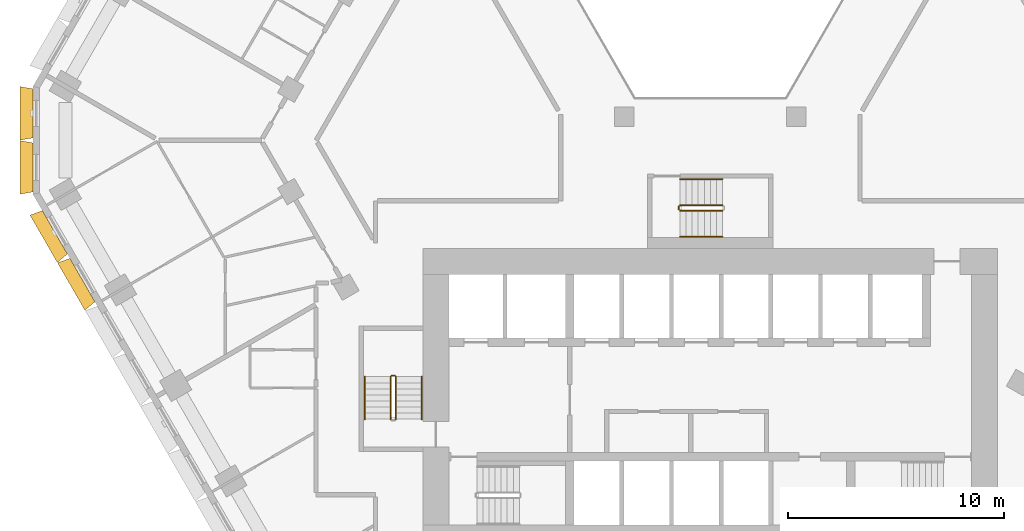
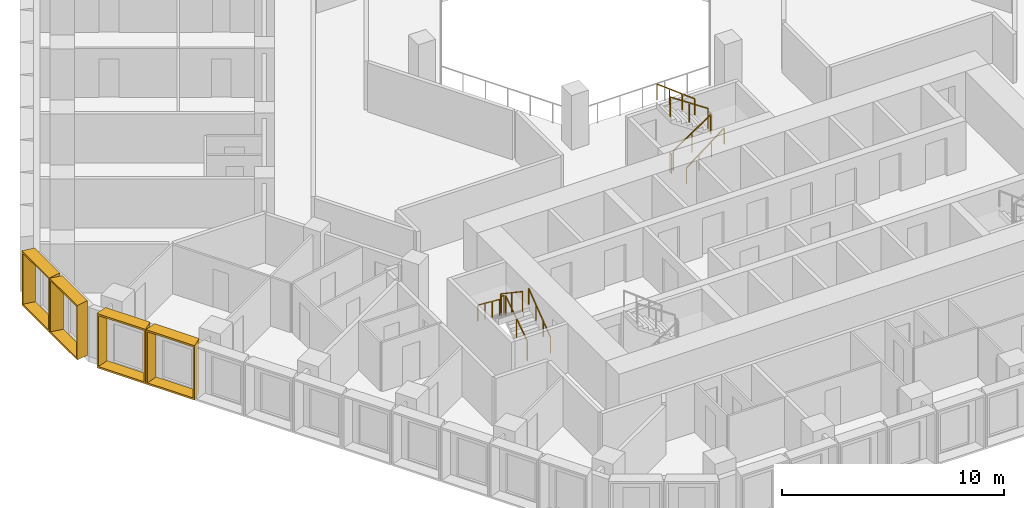
# One storey, part 19 of 21: 10 railings, 4 shading devices.
"""IFC4 building model written with IfcOpenShell, lengths in metres."""

from ifc_helpers import new_model, entity, si_unit, direction, frame, origin, origin_2d, place, context, subcontext, project, spatial, rectangle, extrude, source, transform, mapped, material, type_object, type_shapes, element, save


model = new_model("IFC4")

# Units and contexts
model_context = context("Model", 3, precision=1e-05, world=origin(), true_north=direction((0.0, 1.0)))
body_context = subcontext(model_context, "Body", "Model", "MODEL_VIEW")
ifc_project = project(units=[si_unit("LENGTHUNIT", "METRE"), si_unit("AREAUNIT", "SQUARE_METRE"), si_unit("VOLUMEUNIT", "CUBIC_METRE"), si_unit("PLANEANGLEUNIT", "RADIAN"), si_unit("MASSUNIT", "GRAM", prefix="KILO")], contexts=[model_context])

# Site, building, storey
site_placement = place(None, origin())
site = spatial("IfcSite", under=ifc_project, at=site_placement, CompositionType="ELEMENT")
building_placement = place(site_placement, origin())
building = spatial("IfcBuilding", under=site, at=building_placement, Name="Beryl Residences", CompositionType="ELEMENT")
storey_placement = place(building_placement, frame((0.0, 0.0, 41.39990234375)))
storey = spatial("IfcBuildingStorey", under=building, at=storey_placement, Name="L12", CompositionType="ELEMENT", Elevation=41.39990234375)

# Shading devices
ifc_material_1 = material(Name="Aluminium pale anodised", Category="aluminium")
shading_device_type_1 = type_object("IfcShadingDeviceType", Name="FR250-60A OUTER SKIN frame 600 mm deep, splay 10/10 deg, 2500 x 3000 mm cell", PredefinedType="USERDEFINED", material=ifc_material_1)
cartesian_point_1 = entity("IfcCartesianPoint", [-1.134033203125, 0.0])
cartesian_point_2 = entity("IfcCartesianPoint", [-1.052734375, 0.10009765625])
cartesian_point_3 = entity("IfcCartesianPoint", [-1.23974609375, 0.0])
cartesian_point_4 = entity("IfcCartesianPoint", [-1.158447265625, 0.10009765625])
shared_shape_1 = source(origin(), body_context, "Body", "SweptSolid", [
    entity("IfcExtrudedAreaSolidTapered", entity("IfcArbitraryProfileDefWithVoids", "AREA", None, entity("IfcPolyline", [cartesian_point_1, entity("IfcCartesianPoint", [1.134033203125, 0.0]), entity("IfcCartesianPoint", [1.134033203125, 3.0]), entity("IfcCartesianPoint", [-1.134033203125, 3.0]), cartesian_point_1]), [entity("IfcPolyline", [cartesian_point_2, entity("IfcCartesianPoint", [1.052734375, 0.10009765625]), entity("IfcCartesianPoint", [1.052734375, 2.89990234375]), entity("IfcCartesianPoint", [-1.052734375, 2.89990234375]), cartesian_point_2])]), entity("IfcAxis2Placement3D", entity("IfcCartesianPoint", [0.0, 0.0, 0.0]), entity("IfcDirection", [0.0, 1.0, 0.0]), entity("IfcDirection", [-1.0, 0.0, 0.0])), entity("IfcDirection", [0.0, 0.0, 1.0]), 0.60009765625, entity("IfcArbitraryProfileDefWithVoids", "AREA", None, entity("IfcPolyline", [cartesian_point_3, entity("IfcCartesianPoint", [1.23974609375, 0.0]), entity("IfcCartesianPoint", [1.23974609375, 3.0]), entity("IfcCartesianPoint", [-1.23974609375, 3.0]), cartesian_point_3]), [entity("IfcPolyline", [cartesian_point_4, entity("IfcCartesianPoint", [1.158447265625, 0.10009765625]), entity("IfcCartesianPoint", [1.158447265625, 2.89990234375]), entity("IfcCartesianPoint", [-1.158447265625, 2.89990234375]), cartesian_point_4])])),
])
type_shapes(shading_device_type_1, [shared_shape_1])
for number, where, z_axis, x_axis, name in (
    (1, (-31.35009765625, 1.25, 0.0), (0.0, 0.0, 1.0), (0.0, 1.0, 0.0), "FR250-60A frame L12 NW-SW 1"),
    (2, (-31.35009765625, -1.25, 0.0), (0.0, 0.0, 1.0), (0.0, 1.0, 0.0), "FR250-60A frame L12 NW-SW 2"),
):
    element("IfcShadingDevice", number, at=place(storey_placement, frame(where, z_axis=z_axis, x_axis=x_axis)), inside=storey, type_object=shading_device_type_1, Name=name, ObjectType="OUTER SKIN", PredefinedType="USERDEFINED", context=body_context, shape_type="MappedRepresentation", body=[
        mapped(shared_shape_1, transform((0.0, 0.0, 0.0))),
    ])
ifc_material_2 = material(Name="Aluminium pale anodised", Category="aluminium")
shading_device_type_2 = type_object("IfcShadingDeviceType", Name="FR255-60A OUTER SKIN frame 600 mm deep, splay 10/10 deg, 2550 x 3000 mm cell", PredefinedType="USERDEFINED", material=ifc_material_2)
cartesian_point_5 = entity("IfcCartesianPoint", [-1.158935546875, 0.0])
cartesian_point_6 = entity("IfcCartesianPoint", [-1.077880859375, 0.10009765625])
cartesian_point_7 = entity("IfcCartesianPoint", [-1.264892578125, 0.0])
cartesian_point_8 = entity("IfcCartesianPoint", [-1.18359375, 0.10009765625])
shared_shape_2 = source(origin(), body_context, "Body", "SweptSolid", [
    entity("IfcExtrudedAreaSolidTapered", entity("IfcArbitraryProfileDefWithVoids", "AREA", None, entity("IfcPolyline", [cartesian_point_5, entity("IfcCartesianPoint", [1.158935546875, 0.0]), entity("IfcCartesianPoint", [1.158935546875, 3.0]), entity("IfcCartesianPoint", [-1.158935546875, 3.0]), cartesian_point_5]), [entity("IfcPolyline", [cartesian_point_6, entity("IfcCartesianPoint", [1.077880859375, 0.10009765625]), entity("IfcCartesianPoint", [1.077880859375, 2.89990234375]), entity("IfcCartesianPoint", [-1.077880859375, 2.89990234375]), cartesian_point_6])]), entity("IfcAxis2Placement3D", entity("IfcCartesianPoint", [0.0, 0.0, 0.0]), entity("IfcDirection", [0.0, 1.0, 0.0]), entity("IfcDirection", [-1.0, 0.0, 0.0])), entity("IfcDirection", [0.0, 0.0, 1.0]), 0.60009765625, entity("IfcArbitraryProfileDefWithVoids", "AREA", None, entity("IfcPolyline", [cartesian_point_7, entity("IfcCartesianPoint", [1.264892578125, 0.0]), entity("IfcCartesianPoint", [1.264892578125, 3.0]), entity("IfcCartesianPoint", [-1.264892578125, 3.0]), cartesian_point_7]), [entity("IfcPolyline", [cartesian_point_8, entity("IfcCartesianPoint", [1.18359375, 0.10009765625]), entity("IfcCartesianPoint", [1.18359375, 2.89990234375]), entity("IfcCartesianPoint", [-1.18359375, 2.89990234375]), cartesian_point_8])])),
])
type_shapes(shading_device_type_2, [shared_shape_2])
for number, where, z_axis, x_axis, name in (
    (3, (-30.3359375, -4.2548828125, 0.0), (0.0, 0.0, 1.0), (-0.5, 0.866025403784, 0.0), "FR255-60A frame L12 SW 1"),
    (4, (-29.06005859375, -6.465087890625, 0.0), (0.0, 0.0, 1.0), (-0.5, 0.866025403784, 0.0), "FR255-60A frame L12 SW 2"),
):
    element("IfcShadingDevice", number, at=place(storey_placement, frame(where, z_axis=z_axis, x_axis=x_axis)), inside=storey, type_object=shading_device_type_2, Name=name, ObjectType="OUTER SKIN", PredefinedType="USERDEFINED", context=body_context, shape_type="MappedRepresentation", body=[
        mapped(shared_shape_2, transform((0.0, 0.0, 0.0))),
    ])

# Railings
ifc_material_3 = material(Name="Stainless steel balustrade with glass infill", Category="steel")
railing_type_1 = type_object("IfcRailingType", Name="SG1 stair guard 1100 mm", PredefinedType="GUARDRAIL", material=ifc_material_3)
railing_1_placement = place(storey_placement, frame((-14.550048828125, -12.89990234375, 0.1875)))
element("IfcRailing", 5, at=railing_1_placement, inside=storey, type_object=railing_type_1, Name="L12 ST-2 stair guard 1", PredefinedType="GUARDRAIL", context=body_context, shape_type="SweptSolid", body=[
    extrude(rectangle(XDim=0.048095703125, YDim=0.048095703125, at=origin_2d()), frame((0.0, 0.0, 1.076171875), z_axis=(0.0, 0.830902050051, 0.556418712142), x_axis=(-1.0, 0.0, 0.0)), (0.0, 0.0, 1.0), 2.35888671875),
    extrude(rectangle(XDim=0.0419921875, YDim=0.0419921875, at=origin_2d()), origin(), (0.0, 0.0, 1.0), 1.052001953125),
    extrude(rectangle(XDim=0.0419921875, YDim=0.0419921875, at=origin_2d()), frame((0.0, 0.97998046875, 0.65625)), (0.0, 0.0, 1.0), 1.052001953125),
    extrude(rectangle(XDim=0.0419921875, YDim=0.0419921875, at=origin_2d()), frame((0.0, 1.9599609375, 1.3125)), (0.0, 0.0, 1.0), 1.052001953125),
])
railing_2_placement = place(storey_placement, frame((-14.60009765625, -10.889892578125, 1.5)))
element("IfcRailing", 6, at=railing_2_placement, inside=storey, type_object=railing_type_1, Name="L12 ST-2 stair guard 2", PredefinedType="GUARDRAIL", context=body_context, shape_type="SweptSolid", body=[
    extrude(rectangle(XDim=0.048095703125, YDim=0.048095703125, at=origin_2d()), frame((0.0, 0.0, 1.076171875), z_axis=(-1.0, 0.0, 0.0), x_axis=(0.0, -1.0, 0.0)), (0.0, 0.0, 1.0), 0.14990234375),
    extrude(rectangle(XDim=0.0419921875, YDim=0.0419921875, at=origin_2d()), origin(), (0.0, 0.0, 1.0), 1.052001953125),
    extrude(rectangle(XDim=0.0419921875, YDim=0.0419921875, at=origin_2d()), frame((-0.14990234375, 0.0, 0.0)), (0.0, 0.0, 1.0), 1.052001953125),
])
railing_3_placement = place(storey_placement, frame((-14.800048828125, -10.93994140625, 1.6875)))
element("IfcRailing", 7, at=railing_3_placement, inside=storey, type_object=railing_type_1, Name="L12 ST-2 stair guard 3", PredefinedType="GUARDRAIL", context=body_context, shape_type="SweptSolid", body=[
    extrude(rectangle(XDim=0.048095703125, YDim=0.048095703125, at=origin_2d()), frame((0.0, 0.0, 1.076171875), z_axis=(0.0, -0.830902050051, 0.556418712142), x_axis=(1.0, 0.0, 0.0)), (0.0, 0.0, 1.0), 2.35888671875),
    extrude(rectangle(XDim=0.0419921875, YDim=0.0419921875, at=origin_2d()), origin(), (0.0, 0.0, 1.0), 1.052001953125),
    extrude(rectangle(XDim=0.0419921875, YDim=0.0419921875, at=origin_2d()), frame((0.0, -0.97998046875, 0.65625)), (0.0, 0.0, 1.0), 1.052001953125),
    extrude(rectangle(XDim=0.0419921875, YDim=0.0419921875, at=origin_2d()), frame((0.0, -1.9599609375, 1.3125)), (0.0, 0.0, 1.0), 1.052001953125),
])
railing_4_placement = place(storey_placement, frame((-1.39990234375, -3.25, 0.1875)))
element("IfcRailing", 8, at=railing_4_placement, inside=storey, type_object=railing_type_1, Name="L12 ST-4 stair guard 1", PredefinedType="GUARDRAIL", context=body_context, shape_type="SweptSolid", body=[
    extrude(rectangle(XDim=0.048095703125, YDim=0.048095703125, at=origin_2d()), frame((0.0, 0.0, 1.076171875), z_axis=(0.830902050051, 0.0, 0.556418712142), x_axis=(0.0, 1.0, 0.0)), (0.0, 0.0, 1.0), 2.35888671875),
    extrude(rectangle(XDim=0.0419921875, YDim=0.0419921875, at=origin_2d()), origin(), (0.0, 0.0, 1.0), 1.052001953125),
    extrude(rectangle(XDim=0.0419921875, YDim=0.0419921875, at=origin_2d()), frame((0.97998046875, 0.0, 0.65625)), (0.0, 0.0, 1.0), 1.052001953125),
    extrude(rectangle(XDim=0.0419921875, YDim=0.0419921875, at=origin_2d()), frame((1.9599609375, 0.0, 1.3125)), (0.0, 0.0, 1.0), 1.052001953125),
])
railing_5_placement = place(storey_placement, frame((0.56005859375, -3.0, 1.6875)))
element("IfcRailing", 9, at=railing_5_placement, inside=storey, type_object=railing_type_1, Name="L12 ST-4 stair guard 3", PredefinedType="GUARDRAIL", context=body_context, shape_type="SweptSolid", body=[
    extrude(rectangle(XDim=0.048095703125, YDim=0.048095703125, at=origin_2d()), frame((0.0, 0.0, 1.076171875), z_axis=(-0.830902050051, 0.0, 0.556418712142), x_axis=(0.0, -1.0, 0.0)), (0.0, 0.0, 1.0), 2.35888671875),
    extrude(rectangle(XDim=0.0419921875, YDim=0.0419921875, at=origin_2d()), origin(), (0.0, 0.0, 1.0), 1.052001953125),
    extrude(rectangle(XDim=0.0419921875, YDim=0.0419921875, at=origin_2d()), frame((-0.97998046875, 0.0, 0.65625)), (0.0, 0.0, 1.0), 1.052001953125),
    extrude(rectangle(XDim=0.0419921875, YDim=0.0419921875, at=origin_2d()), frame((-1.9599609375, 0.0, 1.3125)), (0.0, 0.0, 1.0), 1.052001953125),
])
railing_6_placement = place(storey_placement, frame((-1.449951171875, -3.199951171875, 0.0)))
element("IfcRailing", 10, at=railing_6_placement, inside=storey, type_object=railing_type_1, Name="L12 ST-4 stair guard 4", PredefinedType="GUARDRAIL", context=body_context, shape_type="SweptSolid", body=[
    extrude(rectangle(XDim=0.048095703125, YDim=0.048095703125, at=origin_2d()), frame((0.0, 0.0, 1.076171875), z_axis=(0.0, 1.0, 0.0), x_axis=(-1.0, 0.0, 0.0)), (0.0, 0.0, 1.0), 0.14990234375),
    extrude(rectangle(XDim=0.0419921875, YDim=0.0419921875, at=origin_2d()), origin(), (0.0, 0.0, 1.0), 1.052001953125),
    extrude(rectangle(XDim=0.0419921875, YDim=0.0419921875, at=origin_2d()), frame((0.0, 0.14990234375, 0.0)), (0.0, 0.0, 1.0), 1.052001953125),
])
ifc_material_4 = material(Name="Stainless steel handrail", Category="steel")
railing_type_2 = type_object("IfcRailingType", Name="SRL1 stair handrail 900 mm", PredefinedType="HANDRAIL", material=ifc_material_4)
railing_7_placement = place(storey_placement, frame((-13.35009765625, -12.89990234375, 0.1875)))
element("IfcRailing", 11, at=railing_7_placement, inside=storey, type_object=railing_type_2, Name="L12 ST-2 stair handrail 1", PredefinedType="HANDRAIL", context=body_context, shape_type="SweptSolid", body=[
    extrude(rectangle(XDim=0.048095703125, YDim=0.048095703125, at=origin_2d()), frame((0.0, 0.0, 0.8759765625), z_axis=(0.0, 0.794121922505, 0.607758481798), x_axis=(-1.0, 0.0, 0.0)), (0.0, 0.0, 1.0), 2.468017578125),
    extrude(rectangle(XDim=0.0419921875, YDim=0.0419921875, at=origin_2d()), origin(), (0.0, 0.0, 1.0), 0.851806640625),
    extrude(rectangle(XDim=0.0419921875, YDim=0.0419921875, at=origin_2d()), frame((0.0, 0.6533203125, 0.5)), (0.0, 0.0, 1.0), 0.851806640625),
    extrude(rectangle(XDim=0.0419921875, YDim=0.0419921875, at=origin_2d()), frame((0.0, 1.306640625, 1.0)), (0.0, 0.0, 1.0), 0.851806640625),
    extrude(rectangle(XDim=0.0419921875, YDim=0.0419921875, at=origin_2d()), frame((0.0, 1.9599609375, 1.5)), (0.0, 0.0, 1.0), 0.851806640625),
])
railing_8_placement = place(storey_placement, frame((-16.0, -10.93994140625, 1.6875)))
element("IfcRailing", 12, at=railing_8_placement, inside=storey, type_object=railing_type_2, Name="L12 ST-2 stair handrail 2", PredefinedType="HANDRAIL", context=body_context, shape_type="SweptSolid", body=[
    extrude(rectangle(XDim=0.048095703125, YDim=0.048095703125, at=origin_2d()), frame((0.0, 0.0, 0.8759765625), z_axis=(0.0, -0.794121922505, 0.607758481798), x_axis=(1.0, 0.0, 0.0)), (0.0, 0.0, 1.0), 2.468017578125),
    extrude(rectangle(XDim=0.0419921875, YDim=0.0419921875, at=origin_2d()), origin(), (0.0, 0.0, 1.0), 0.851806640625),
    extrude(rectangle(XDim=0.0419921875, YDim=0.0419921875, at=origin_2d()), frame((0.0, -0.6533203125, 0.5)), (0.0, 0.0, 1.0), 0.851806640625),
    extrude(rectangle(XDim=0.0419921875, YDim=0.0419921875, at=origin_2d()), frame((0.0, -1.306640625, 1.0)), (0.0, 0.0, 1.0), 0.851806640625),
    extrude(rectangle(XDim=0.0419921875, YDim=0.0419921875, at=origin_2d()), frame((0.0, -1.9599609375, 1.5)), (0.0, 0.0, 1.0), 0.851806640625),
])
railing_9_placement = place(storey_placement, frame((-1.39990234375, -4.449951171875, 0.1875)))
element("IfcRailing", 13, at=railing_9_placement, inside=storey, type_object=railing_type_2, Name="L12 ST-4 stair handrail 1", PredefinedType="HANDRAIL", context=body_context, shape_type="SweptSolid", body=[
    extrude(rectangle(XDim=0.048095703125, YDim=0.048095703125, at=origin_2d()), frame((0.0, 0.0, 0.8759765625), z_axis=(0.794121922505, 0.0, 0.607758481798), x_axis=(0.0, 1.0, 0.0)), (0.0, 0.0, 1.0), 2.468017578125),
    extrude(rectangle(XDim=0.0419921875, YDim=0.0419921875, at=origin_2d()), origin(), (0.0, 0.0, 1.0), 0.851806640625),
    extrude(rectangle(XDim=0.0419921875, YDim=0.0419921875, at=origin_2d()), frame((0.6533203125, 0.0, 0.5)), (0.0, 0.0, 1.0), 0.851806640625),
    extrude(rectangle(XDim=0.0419921875, YDim=0.0419921875, at=origin_2d()), frame((1.306640625, 0.0, 1.0)), (0.0, 0.0, 1.0), 0.851806640625),
    extrude(rectangle(XDim=0.0419921875, YDim=0.0419921875, at=origin_2d()), frame((1.9599609375, 0.0, 1.5)), (0.0, 0.0, 1.0), 0.851806640625),
])
railing_10_placement = place(storey_placement, frame((0.56005859375, -1.800048828125, 1.6875)))
element("IfcRailing", 14, at=railing_10_placement, inside=storey, type_object=railing_type_2, Name="L12 ST-4 stair handrail 2", PredefinedType="HANDRAIL", context=body_context, shape_type="SweptSolid", body=[
    extrude(rectangle(XDim=0.048095703125, YDim=0.048095703125, at=origin_2d()), frame((0.0, 0.0, 0.8759765625), z_axis=(-0.794121922505, 0.0, 0.607758481798), x_axis=(0.0, -1.0, 0.0)), (0.0, 0.0, 1.0), 2.468017578125),
    extrude(rectangle(XDim=0.0419921875, YDim=0.0419921875, at=origin_2d()), origin(), (0.0, 0.0, 1.0), 0.851806640625),
    extrude(rectangle(XDim=0.0419921875, YDim=0.0419921875, at=origin_2d()), frame((-0.6533203125, 0.0, 0.5)), (0.0, 0.0, 1.0), 0.851806640625),
    extrude(rectangle(XDim=0.0419921875, YDim=0.0419921875, at=origin_2d()), frame((-1.306640625, 0.0, 1.0)), (0.0, 0.0, 1.0), 0.851806640625),
    extrude(rectangle(XDim=0.0419921875, YDim=0.0419921875, at=origin_2d()), frame((-1.9599609375, 0.0, 1.5)), (0.0, 0.0, 1.0), 0.851806640625),
])

save(model, "model.ifc")
